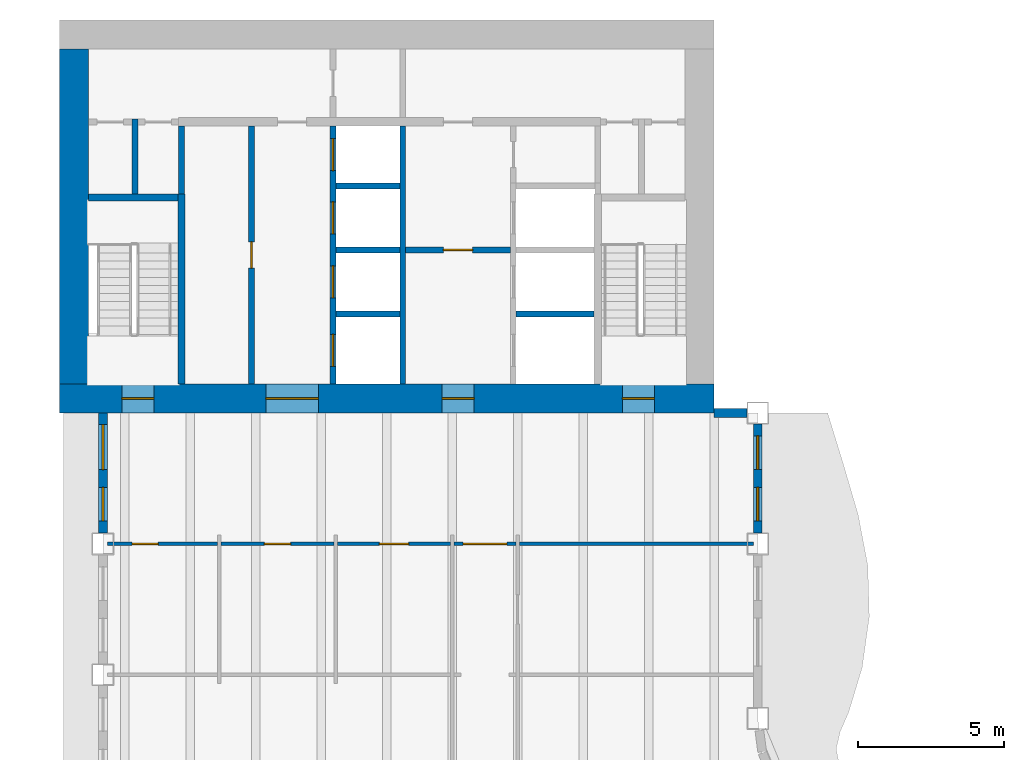
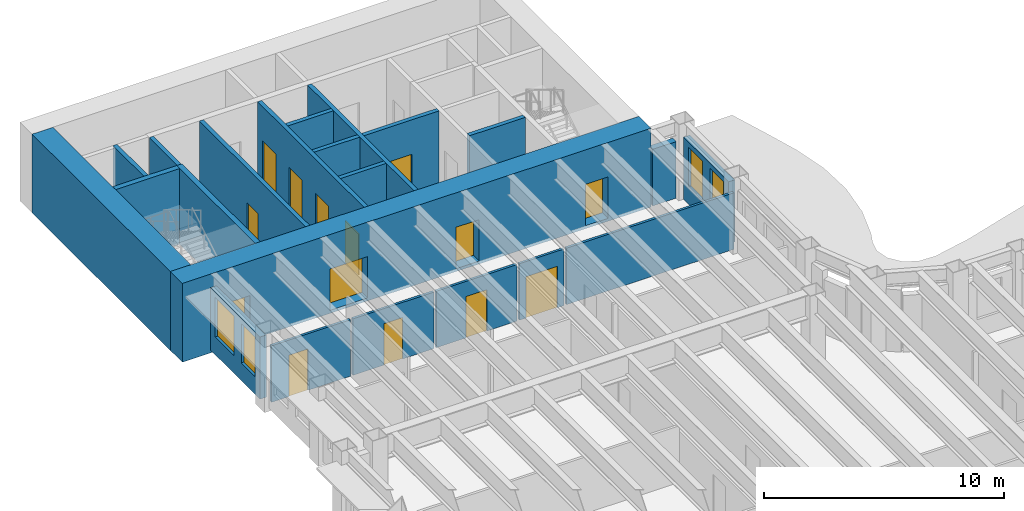
# One storey, part 8 of 16: 22 walls, 14 doors, 4 windows, 18 openings.
"""IFC4 building model written with IfcOpenShell, lengths in metres."""

from ifc_helpers import new_model, si_unit, direction, frame, frame_2d, origin, place, context, subcontext, project, spatial, rectangle, extrude, material, layer, layer_set, type_object, element, fill, save


model = new_model("IFC4")

# Units and contexts
model_context = context("Model", 3, precision=1e-05, world=origin(), true_north=direction((0.0, 1.0)))
body_context = subcontext(model_context, "Body", "Model", "MODEL_VIEW")
ifc_project = project(units=[si_unit("LENGTHUNIT", "METRE"), si_unit("AREAUNIT", "SQUARE_METRE"), si_unit("VOLUMEUNIT", "CUBIC_METRE"), si_unit("PLANEANGLEUNIT", "RADIAN"), si_unit("MASSUNIT", "GRAM", prefix="KILO")], contexts=[model_context])

# Site, building, storey
site_placement = place(None, origin())
site = spatial("IfcSite", under=ifc_project, at=site_placement, CompositionType="ELEMENT")
building_placement = place(site_placement, origin())
building = spatial("IfcBuilding", under=site, at=building_placement, Name="Sennacour Bend Tower", CompositionType="ELEMENT")
storey_placement = place(building_placement, frame((0.0, 0.0, 227.0)))
storey = spatial("IfcBuildingStorey", under=building, at=storey_placement, Name="L52", CompositionType="ELEMENT", Elevation=227.0)

# Wall, openings, doors
ifc_material_1 = material(Name="Concrete C60/75", Category="concrete")
ifc_layer_1 = layer(ifc_material_1, 1.0, Name="Concrete C60/75", Category="concrete")
ifc_layer_set_1 = layer_set([ifc_layer_1], Name="Concrete C60/75")
wall_type_1 = type_object("IfcWallType", Name="Core wall 1000 C60/75", PredefinedType="SHEAR", material=ifc_layer_set_1)
wall_1_placement = place(storey_placement, frame((0.0, 36.5, -0.14990234375), z_axis=(0.0, 0.0, 1.0), x_axis=(1.0, 0.0, 0.0)))
wall_1 = element("IfcWall", 1, at=wall_1_placement, inside=storey, type_object=wall_type_1, Name="Core B wall L52 S", PredefinedType="SHEAR", context=body_context, shape_type="SweptSolid", body=[
    extrude(rectangle(XDim=22.5, YDim=1.0, at=frame_2d((11.25, 0.0))), origin(), (0.0, 0.0, 1.0), 4.0),
])
opening_1_placement = place(wall_1_placement, frame((7.10009765625, 0.0, 0.14990234375)))
opening_1 = element("IfcOpeningElement", 2, at=opening_1_placement, cuts=wall_1, Name="Opening CD", PredefinedType="OPENING", context=body_context, shape_type="SweptSolid", body=[
    extrude(rectangle(XDim=1.800048828125, YDim=2.10009765625, at=frame_2d((0.89990234375, 1.050048828125))), frame((0.0, 0.510009765625, 0.0), z_axis=(0.0, -1.0, 0.0), x_axis=(1.0, 0.0, 0.0)), (0.0, 0.0, 1.0), 1.02001953125),
])
opening_2_placement = place(wall_1_placement, frame((13.14990234375, 0.0, 0.14990234375)))
opening_2 = element("IfcOpeningElement", 3, at=opening_2_placement, cuts=wall_1, Name="Opening FD", PredefinedType="OPENING", context=body_context, shape_type="SweptSolid", body=[
    extrude(rectangle(XDim=1.10009765625, YDim=2.10009765625, at=frame_2d((0.550048828125, 1.050048828125))), frame((0.0, 0.510009765625, 0.0), z_axis=(0.0, -1.0, 0.0), x_axis=(1.0, 0.0, 0.0)), (0.0, 0.0, 1.0), 1.02001953125),
])
opening_3_placement = place(wall_1_placement, frame((2.14990234375, 0.0, 0.14990234375)))
opening_3 = element("IfcOpeningElement", 4, at=opening_3_placement, cuts=wall_1, Name="Opening SD", PredefinedType="OPENING", context=body_context, shape_type="SweptSolid", body=[
    extrude(rectangle(XDim=1.10009765625, YDim=2.10009765625, at=frame_2d((0.550048828125, 1.050048828125))), frame((0.0, 0.510009765625, 0.0), z_axis=(0.0, -1.0, 0.0), x_axis=(1.0, 0.0, 0.0)), (0.0, 0.0, 1.0), 1.02001953125),
])
opening_4_placement = place(wall_1_placement, frame((19.35009765625, 0.0, 0.14990234375)))
opening_4 = element("IfcOpeningElement", 5, at=opening_4_placement, cuts=wall_1, Name="Opening SD", PredefinedType="OPENING", context=body_context, shape_type="SweptSolid", body=[
    extrude(rectangle(XDim=1.10009765625, YDim=2.10009765625, at=frame_2d((0.550048828125, 1.050048828125))), frame((0.0, 0.510009765625, 0.0), z_axis=(0.0, -1.0, 0.0), x_axis=(1.0, 0.0, 0.0)), (0.0, 0.0, 1.0), 1.02001953125),
])
ifc_material_2 = material(Name="Painted steel", Category="steel")
door_type_1 = type_object("IfcDoorType", Name="DR-FFL-1100", OperationType="NOTDEFINED", PredefinedType="DOOR", material=ifc_material_2)
door_1_placement = place(opening_2_placement, origin())
door_1 = element("IfcDoor", 6, at=door_1_placement, inside=storey, type_object=door_type_1, Name="Door", OperationType="SINGLE_SWING_RIGHT", OverallHeight=2.10009765625, OverallWidth=1.10009765625, PredefinedType="DOOR", context=body_context, shape_type="SweptSolid", body=[
    extrude(rectangle(XDim=1.10009765625, YDim=2.10009765625, at=frame_2d((0.550048828125, 1.050048828125))), frame((0.0, 0.02490234375, 0.0), z_axis=(0.0, -1.0, 0.0), x_axis=(1.0, 0.0, 0.0)), (0.0, 0.0, 1.0), 0.050048828125),
])
fill(opening_2, door_1)
door_type_2 = type_object("IfcDoorType", Name="DR-LOBBY-1800", OperationType="NOTDEFINED", PredefinedType="DOOR", material=ifc_material_2)
door_2_placement = place(opening_1_placement, origin())
door_2 = element("IfcDoor", 7, at=door_2_placement, inside=storey, type_object=door_type_2, Name="Door", OperationType="DOUBLE_DOOR_SINGLE_SWING", OverallHeight=2.10009765625, OverallWidth=1.800048828125, PredefinedType="DOOR", context=body_context, shape_type="SweptSolid", body=[
    extrude(rectangle(XDim=1.800048828125, YDim=2.10009765625, at=frame_2d((0.89990234375, 1.050048828125))), frame((0.0, 0.02490234375, 0.0), z_axis=(0.0, -1.0, 0.0), x_axis=(1.0, 0.0, 0.0)), (0.0, 0.0, 1.0), 0.050048828125),
])
fill(opening_1, door_2)
door_type_3 = type_object("IfcDoorType", Name="DR-STAIR-1100", OperationType="NOTDEFINED", PredefinedType="DOOR", material=ifc_material_2)
door_3_placement = place(opening_3_placement, origin())
door_3 = element("IfcDoor", 8, at=door_3_placement, inside=storey, type_object=door_type_3, Name="Door", OperationType="SINGLE_SWING_LEFT", OverallHeight=2.10009765625, OverallWidth=1.10009765625, PredefinedType="DOOR", context=body_context, shape_type="SweptSolid", body=[
    extrude(rectangle(XDim=1.10009765625, YDim=2.10009765625, at=frame_2d((0.550048828125, 1.050048828125))), frame((0.0, 0.02490234375, 0.0), z_axis=(0.0, -1.0, 0.0), x_axis=(1.0, 0.0, 0.0)), (0.0, 0.0, 1.0), 0.050048828125),
])
fill(opening_3, door_3)
door_4_placement = place(opening_4_placement, origin())
door_4 = element("IfcDoor", 9, at=door_4_placement, inside=storey, type_object=door_type_3, Name="Door", OperationType="SINGLE_SWING_RIGHT", OverallHeight=2.10009765625, OverallWidth=1.10009765625, PredefinedType="DOOR", context=body_context, shape_type="SweptSolid", body=[
    extrude(rectangle(XDim=1.10009765625, YDim=2.10009765625, at=frame_2d((0.550048828125, 1.050048828125))), frame((0.0, 0.02490234375, 0.0), z_axis=(0.0, -1.0, 0.0), x_axis=(1.0, 0.0, 0.0)), (0.0, 0.0, 1.0), 0.050048828125),
])
fill(opening_4, door_4)

# Wall
wall_2_placement = place(storey_placement, frame((0.5, 37.0, -0.14990234375), z_axis=(0.0, 0.0, 1.0), x_axis=(0.0, 1.0, 0.0)))
element("IfcWall", 10, at=wall_2_placement, inside=storey, type_object=wall_type_1, Name="Core B wall L52 W", PredefinedType="SHEAR", context=body_context, shape_type="SweptSolid", body=[
    extrude(rectangle(XDim=11.5, YDim=1.0, at=frame_2d((5.75, 0.0))), origin(), (0.0, 0.0, 1.0), 4.0),
])

# Wall, opening, door
ifc_material_3 = material(Name="Plasterboard partition on steel studs", Category="steel")
ifc_layer_2 = layer(ifc_material_3, 0.1201171875, Name="Plasterboard partition on steel studs", Category="steel")
ifc_layer_set_2 = layer_set([ifc_layer_2], Name="Plasterboard partition on steel studs")
wall_type_2 = type_object("IfcWallType", Name="Partition 120", PredefinedType="PARTITIONING", material=ifc_layer_set_2)
wall_3_placement = place(storey_placement, frame((1.64990234375, 31.5, 0.0), z_axis=(0.0, 0.0, 1.0), x_axis=(1.0, 0.0, 0.0)))
wall_3 = element("IfcWall", 11, at=wall_3_placement, inside=storey, type_object=wall_type_2, Name="P-L52-W082aa", PredefinedType="PARTITIONING", context=body_context, shape_type="SweptSolid", body=[
    extrude(rectangle(XDim=3.7900390625, YDim=0.1201171875, at=frame_2d((1.89501953125, 0.0))), origin(), (0.0, 0.0, 1.0), 2.8701171875),
])
opening_5_placement = place(wall_3_placement, frame((0.85009765625, 0.0, 0.0)))
opening_5 = element("IfcOpeningElement", 12, at=opening_5_placement, cuts=wall_3, Name="Opening WD", PredefinedType="OPENING", context=body_context, shape_type="SweptSolid", body=[
    extrude(rectangle(XDim=0.89990234375, YDim=2.10009765625, at=frame_2d((0.449951171875, 1.050048828125))), frame((0.0, 0.070068359375, 0.0), z_axis=(0.0, -1.0, 0.0), x_axis=(1.0, 0.0, 0.0)), (0.0, 0.0, 1.0), 0.14013671875),
])
ifc_material_4 = material(Name="Timber", Category="wood")
door_type_4 = type_object("IfcDoorType", Name="DR-WC-900", OperationType="NOTDEFINED", PredefinedType="DOOR", material=ifc_material_4)
door_5_placement = place(opening_5_placement, origin())
door_5 = element("IfcDoor", 13, at=door_5_placement, inside=storey, type_object=door_type_4, Name="Door", OperationType="SINGLE_SWING_LEFT", OverallHeight=2.10009765625, OverallWidth=0.89990234375, PredefinedType="DOOR", context=body_context, shape_type="SweptSolid", body=[
    extrude(rectangle(XDim=0.89990234375, YDim=2.10009765625, at=frame_2d((0.449951171875, 1.050048828125))), frame((0.0, 0.02490234375, 0.0), z_axis=(0.0, -1.0, 0.0), x_axis=(1.0, 0.0, 0.0)), (0.0, 0.0, 1.0), 0.050048828125),
])
fill(opening_5, door_5)

wall_4_placement = place(storey_placement, frame((5.56005859375, 31.5, 0.0), z_axis=(0.0, 0.0, 1.0), x_axis=(1.0, 0.0, 0.0)))
wall_4 = element("IfcWall", 14, at=wall_4_placement, inside=storey, type_object=wall_type_2, Name="P-L52-W082ab", PredefinedType="PARTITIONING", context=body_context, shape_type="SweptSolid", body=[
    extrude(rectangle(XDim=3.8798828125, YDim=0.1201171875, at=frame_2d((1.93994140625, 0.0))), origin(), (0.0, 0.0, 1.0), 2.8701171875),
])
opening_6_placement = place(wall_4_placement, frame((1.489990234375, 0.0, 0.0)))
opening_6 = element("IfcOpeningElement", 15, at=opening_6_placement, cuts=wall_4, Name="Opening WD", PredefinedType="OPENING", context=body_context, shape_type="SweptSolid", body=[
    extrude(rectangle(XDim=0.89990234375, YDim=2.10009765625, at=frame_2d((0.449951171875, 1.050048828125))), frame((0.0, 0.070068359375, 0.0), z_axis=(0.0, -1.0, 0.0), x_axis=(1.0, 0.0, 0.0)), (0.0, 0.0, 1.0), 0.14013671875),
])
door_6_placement = place(opening_6_placement, origin())
door_6 = element("IfcDoor", 16, at=door_6_placement, inside=storey, type_object=door_type_4, Name="Door", OperationType="SINGLE_SWING_LEFT", OverallHeight=2.10009765625, OverallWidth=0.89990234375, PredefinedType="DOOR", context=body_context, shape_type="SweptSolid", body=[
    extrude(rectangle(XDim=0.89990234375, YDim=2.10009765625, at=frame_2d((0.449951171875, 1.050048828125))), frame((0.0, 0.02490234375, 0.0), z_axis=(0.0, -1.0, 0.0), x_axis=(1.0, 0.0, 0.0)), (0.0, 0.0, 1.0), 0.050048828125),
])
fill(opening_6, door_6)

wall_5_placement = place(storey_placement, frame((9.56005859375, 31.5, 0.0), z_axis=(0.0, 0.0, 1.0), x_axis=(1.0, 0.0, 0.0)))
wall_5 = element("IfcWall", 17, at=wall_5_placement, inside=storey, type_object=wall_type_2, Name="P-L52-W082ac", PredefinedType="PARTITIONING", context=body_context, shape_type="SweptSolid", body=[
    extrude(rectangle(XDim=3.8798828125, YDim=0.1201171875, at=frame_2d((1.93994140625, 0.0))), origin(), (0.0, 0.0, 1.0), 2.8701171875),
])
opening_7_placement = place(wall_5_placement, frame((1.43994140625, 0.0, 0.0)))
opening_7 = element("IfcOpeningElement", 18, at=opening_7_placement, cuts=wall_5, Name="Opening AD", PredefinedType="OPENING", context=body_context, shape_type="SweptSolid", body=[
    extrude(rectangle(XDim=1.0, YDim=2.10009765625, at=frame_2d((0.5, 1.050048828125))), frame((0.0, 0.070068359375, 0.0), z_axis=(0.0, -1.0, 0.0), x_axis=(1.0, 0.0, 0.0)), (0.0, 0.0, 1.0), 0.14013671875),
])
door_type_5 = type_object("IfcDoorType", Name="DR-ACC-WC-1000", OperationType="NOTDEFINED", PredefinedType="DOOR", material=ifc_material_4)
door_7_placement = place(opening_7_placement, origin())
door_7 = element("IfcDoor", 19, at=door_7_placement, inside=storey, type_object=door_type_5, Name="Door", OperationType="SINGLE_SWING_LEFT", OverallHeight=2.10009765625, OverallWidth=1.0, PredefinedType="DOOR", context=body_context, shape_type="SweptSolid", body=[
    extrude(rectangle(XDim=1.0, YDim=2.10009765625, at=frame_2d((0.5, 1.050048828125))), frame((0.0, 0.02490234375, 0.0), z_axis=(0.0, -1.0, 0.0), x_axis=(1.0, 0.0, 0.0)), (0.0, 0.0, 1.0), 0.050048828125),
])
fill(opening_7, door_7)

# Wall
wall_6_placement = place(storey_placement, frame((15.81005859375, 31.5, 0.0), z_axis=(0.0, 0.0, 1.0), x_axis=(1.0, 0.0, 0.0)))
element("IfcWall", 20, at=wall_6_placement, inside=storey, type_object=wall_type_2, Name="P-L52-W082ae", PredefinedType="PARTITIONING", context=body_context, shape_type="SweptSolid", body=[
    extrude(rectangle(XDim=8.0400390625, YDim=0.1201171875, at=frame_2d((4.02001953125, 0.0))), origin(), (0.0, 0.0, 1.0), 2.8701171875),
])

# Wall, opening, door
ifc_layer_3 = layer(ifc_material_3, 0.1201171875, Name="Plasterboard partition on steel studs", Category="steel")
ifc_layer_set_3 = layer_set([ifc_layer_3], Name="Plasterboard partition on steel studs")
wall_type_3 = type_object("IfcWallType", Name="Partition 120 EI 30", PredefinedType="PARTITIONING", material=ifc_layer_set_3)
wall_7_placement = place(storey_placement, frame((13.56005859375, 31.5, 0.0), z_axis=(0.0, 0.0, 1.0), x_axis=(1.0, 0.0, 0.0)))
wall_7 = element("IfcWall", 21, at=wall_7_placement, inside=storey, type_object=wall_type_3, Name="P-L52-W082ad", PredefinedType="PARTITIONING", context=body_context, shape_type="SweptSolid", body=[
    extrude(rectangle(XDim=2.1298828125, YDim=0.1201171875, at=frame_2d((1.06494140625, 0.0))), origin(), (0.0, 0.0, 1.0), 2.8701171875),
])
opening_8_placement = place(wall_7_placement, frame((0.31494140625, 0.0, 0.0)))
opening_8 = element("IfcOpeningElement", 22, at=opening_8_placement, cuts=wall_7, Name="Opening KD", PredefinedType="OPENING", context=body_context, shape_type="SweptSolid", body=[
    extrude(rectangle(XDim=1.5, YDim=2.10009765625, at=frame_2d((0.75, 1.050048828125))), frame((0.0, 0.070068359375, 0.0), z_axis=(0.0, -1.0, 0.0), x_axis=(1.0, 0.0, 0.0)), (0.0, 0.0, 1.0), 0.14013671875),
])
door_type_6 = type_object("IfcDoorType", Name="DR-CORRIDOR-1500", OperationType="NOTDEFINED", PredefinedType="DOOR", material=ifc_material_2)
door_8_placement = place(opening_8_placement, origin())
door_8 = element("IfcDoor", 23, at=door_8_placement, inside=storey, type_object=door_type_6, Name="Door", OperationType="SINGLE_SWING_LEFT", OverallHeight=2.10009765625, OverallWidth=1.5, PredefinedType="DOOR", context=body_context, shape_type="SweptSolid", body=[
    extrude(rectangle(XDim=1.5, YDim=2.10009765625, at=frame_2d((0.75, 1.050048828125))), frame((0.0, 0.02490234375, 0.0), z_axis=(0.0, -1.0, 0.0), x_axis=(1.0, 0.0, 0.0)), (0.0, 0.0, 1.0), 0.050048828125),
])
fill(opening_8, door_8)

# Walls
ifc_material_5 = material(Name="Fire-rated plasterboard partition on steel studs", Category="steel")
ifc_layer_4 = layer(ifc_material_5, 0.199951171875, Name="Fire-rated plasterboard partition on steel studs", Category="steel")
ifc_layer_set_4 = layer_set([ifc_layer_4], Name="Fire-rated plasterboard partition on steel studs")
wall_type_4 = type_object("IfcWallType", Name="Rated partition 200", PredefinedType="PARTITIONING", material=ifc_layer_set_4)
wall_8_placement = place(storey_placement, frame((2.60009765625, 43.52490234375, 0.0), z_axis=(0.0, 0.0, 1.0), x_axis=(0.0, 1.0, 0.0)))
element("IfcWall", 24, at=wall_8_placement, inside=storey, type_object=wall_type_4, Name="P-L52-W004", PredefinedType="PARTITIONING", context=body_context, shape_type="SweptSolid", body=[
    extrude(rectangle(XDim=2.5751953125, YDim=0.199951171875, at=frame_2d((1.28759765625, 0.0))), origin(), (0.0, 0.0, 1.0), 3.85009765625),
])
wall_9_placement = place(storey_placement, frame((4.199951171875, 43.52490234375, 0.0), z_axis=(0.0, 0.0, 1.0), x_axis=(0.0, 1.0, 0.0)))
element("IfcWall", 25, at=wall_9_placement, inside=storey, type_object=wall_type_4, Name="P-L52-W006", PredefinedType="PARTITIONING", context=body_context, shape_type="SweptSolid", body=[
    extrude(rectangle(XDim=2.3251953125, YDim=0.199951171875, at=frame_2d((1.16259765625, 0.0))), origin(), (0.0, 0.0, 1.0), 3.85009765625),
])

# Wall, opening, door
wall_10_placement = place(storey_placement, frame((6.60009765625, 37.0, 0.0), z_axis=(0.0, 0.0, 1.0), x_axis=(0.0, 1.0, 0.0)))
wall_10 = element("IfcWall", 26, at=wall_10_placement, inside=storey, type_object=wall_type_4, Name="P-L52-W008", PredefinedType="PARTITIONING", context=body_context, shape_type="SweptSolid", body=[
    extrude(rectangle(XDim=8.85009765625, YDim=0.199951171875, at=frame_2d((4.425048828125, 0.0))), origin(), (0.0, 0.0, 1.0), 3.85009765625),
])
opening_9_placement = place(wall_10_placement, frame((3.97509765625, 0.0, 0.0)))
opening_9 = element("IfcOpeningElement", 27, at=opening_9_placement, cuts=wall_10, Name="Opening SV", PredefinedType="OPENING", context=body_context, shape_type="SweptSolid", body=[
    extrude(rectangle(XDim=0.89990234375, YDim=2.10009765625, at=frame_2d((0.449951171875, 1.050048828125))), frame((0.0, 0.10986328125, 0.0), z_axis=(0.0, -1.0, 0.0), x_axis=(1.0, 0.0, 0.0)), (0.0, 0.0, 1.0), 0.219970703125),
])
door_type_7 = type_object("IfcDoorType", Name="DR-SERVICE-900", OperationType="NOTDEFINED", PredefinedType="DOOR", material=ifc_material_2)
door_9_placement = place(opening_9_placement, origin())
door_9 = element("IfcDoor", 28, at=door_9_placement, inside=storey, type_object=door_type_7, Name="Door", OperationType="SINGLE_SWING_LEFT", OverallHeight=2.10009765625, OverallWidth=0.89990234375, PredefinedType="DOOR", context=body_context, shape_type="SweptSolid", body=[
    extrude(rectangle(XDim=0.89990234375, YDim=2.10009765625, at=frame_2d((0.449951171875, 1.050048828125))), frame((0.0, 0.02490234375, 0.0), z_axis=(0.0, -1.0, 0.0), x_axis=(1.0, 0.0, 0.0)), (0.0, 0.0, 1.0), 0.050048828125),
])
fill(opening_9, door_9)

ifc_layer_5 = layer(ifc_material_5, 0.199951171875, Name="Fire-rated plasterboard partition on steel studs", Category="steel")
ifc_layer_set_5 = layer_set([ifc_layer_5], Name="Fire-rated plasterboard partition on steel studs")
wall_type_5 = type_object("IfcWallType", Name="Rated partition 200 EI 90", PredefinedType="PARTITIONING", material=ifc_layer_set_5)
wall_11_placement = place(storey_placement, frame((11.89990234375, 41.60009765625, 0.0), z_axis=(0.0, 0.0, 1.0), x_axis=(1.0, 0.0, 0.0)))
wall_11 = element("IfcWall", 29, at=wall_11_placement, inside=storey, type_object=wall_type_5, Name="P-L52-W087", PredefinedType="PARTITIONING", context=body_context, shape_type="SweptSolid", body=[
    extrude(rectangle(XDim=3.60009765625, YDim=0.199951171875, at=frame_2d((1.800048828125, 0.0))), origin(), (0.0, 0.0, 1.0), 3.85009765625),
])
opening_10_placement = place(wall_11_placement, frame((1.300048828125, 0.0, 0.0)))
opening_10 = element("IfcOpeningElement", 30, at=opening_10_placement, cuts=wall_11, Name="Opening FD2", PredefinedType="OPENING", context=body_context, shape_type="SweptSolid", body=[
    extrude(rectangle(XDim=1.0, YDim=2.10009765625, at=frame_2d((0.5, 1.050048828125))), frame((0.0, 0.10986328125, 0.0), z_axis=(0.0, -1.0, 0.0), x_axis=(1.0, 0.0, 0.0)), (0.0, 0.0, 1.0), 0.219970703125),
])
door_type_8 = type_object("IfcDoorType", Name="DR-FFL-1000", OperationType="NOTDEFINED", PredefinedType="DOOR", material=ifc_material_2)
door_10_placement = place(opening_10_placement, origin())
door_10 = element("IfcDoor", 31, at=door_10_placement, inside=storey, type_object=door_type_8, Name="Door", OperationType="SINGLE_SWING_RIGHT", OverallHeight=2.10009765625, OverallWidth=1.0, PredefinedType="DOOR", context=body_context, shape_type="SweptSolid", body=[
    extrude(rectangle(XDim=1.0, YDim=2.10009765625, at=frame_2d((0.5, 1.050048828125))), frame((0.0, 0.02490234375, 0.0), z_axis=(0.0, -1.0, 0.0), x_axis=(1.0, 0.0, 0.0)), (0.0, 0.0, 1.0), 0.050048828125),
])
fill(opening_10, door_10)

# Wall, openings, windows
ifc_material_6 = material(Name="Warm limestone cladding", Category="masonry")
ifc_layer_6 = layer(ifc_material_6, 0.050048828125, Name="Warm limestone cladding", Category="masonry")
ifc_material_7 = material(Name="Precast concrete C40/50", Category="concrete")
ifc_layer_7 = layer(ifc_material_7, 0.25, Name="Precast concrete C40/50", Category="concrete")
ifc_layer_set_6 = layer_set([ifc_layer_6, ifc_layer_7], Name="Precast concrete C40/50 with limestone cladding")
wall_type_6 = type_object("IfcWallType", Name="STONE-CLAD PRECAST SPANDREL 300", PredefinedType="STANDARD", material=ifc_layer_set_6)
wall_12_placement = place(storey_placement, frame((24.0, 31.875, 0.0), z_axis=(0.0, 0.0, 1.0), x_axis=(0.0, 1.0, 0.0)))
wall_12 = element("IfcWall", 32, at=wall_12_placement, inside=storey, type_object=wall_type_6, Name="Stone spandrel and pier wall L52 13.01", PredefinedType="STANDARD", context=body_context, shape_type="SweptSolid", body=[
    extrude(rectangle(XDim=3.75, YDim=0.300048828125, at=frame_2d((1.875, 0.0))), origin(), (0.0, 0.0, 1.0), 3.156982421875),
])
opening_11_placement = place(wall_12_placement, frame((0.41259765625, 0.0, 0.89990234375)))
opening_11 = element("IfcOpeningElement", 33, at=opening_11_placement, cuts=wall_12, Name="Opening W24", PredefinedType="OPENING", context=body_context, shape_type="SweptSolid", body=[
    extrude(rectangle(XDim=1.14990234375, YDim=2.0, at=frame_2d((0.574951171875, 1.0))), frame((0.0, 0.16015625, 0.0), z_axis=(0.0, -1.0, 0.0), x_axis=(1.0, 0.0, 0.0)), (0.0, 0.0, 1.0), 0.320068359375),
])
opening_12_placement = place(wall_12_placement, frame((2.1875, 0.0, 0.89990234375)))
opening_12 = element("IfcOpeningElement", 34, at=opening_12_placement, cuts=wall_12, Name="Opening W24", PredefinedType="OPENING", context=body_context, shape_type="SweptSolid", body=[
    extrude(rectangle(XDim=1.14990234375, YDim=2.0, at=frame_2d((0.574951171875, 1.0))), frame((0.0, 0.16015625, 0.0), z_axis=(0.0, -1.0, 0.0), x_axis=(1.0, 0.0, 0.0)), (0.0, 0.0, 1.0), 0.320068359375),
])
ifc_material_8 = material(Name="Clear low-emissivity glass", Category="glass")
window_type_1 = type_object("IfcWindowType", Name="WIN-RIBBON-1150x2000", PartitioningType="SINGLE_PANEL", PredefinedType="WINDOW", material=ifc_material_8)
window_1_placement = place(opening_11_placement, origin())
window_1 = element("IfcWindow", 35, at=window_1_placement, inside=storey, type_object=window_type_1, Name="Ribbon window L52 13.01.0", OverallHeight=2.0, OverallWidth=1.14990234375, PartitioningType="SINGLE_PANEL", PredefinedType="WINDOW", context=body_context, shape_type="SweptSolid", body=[
    extrude(rectangle(XDim=1.14990234375, YDim=2.0, at=frame_2d((0.574951171875, 1.0))), frame((0.0, 0.030029296875, 0.0), z_axis=(0.0, -1.0, 0.0), x_axis=(1.0, 0.0, 0.0)), (0.0, 0.0, 1.0), 0.06005859375),
])
fill(opening_11, window_1)
window_2_placement = place(opening_12_placement, origin())
window_2 = element("IfcWindow", 36, at=window_2_placement, inside=storey, type_object=window_type_1, Name="Ribbon window L52 13.01.1", OverallHeight=2.0, OverallWidth=1.14990234375, PartitioningType="SINGLE_PANEL", PredefinedType="WINDOW", context=body_context, shape_type="SweptSolid", body=[
    extrude(rectangle(XDim=1.14990234375, YDim=2.0, at=frame_2d((0.574951171875, 1.0))), frame((0.0, 0.030029296875, 0.0), z_axis=(0.0, -1.0, 0.0), x_axis=(1.0, 0.0, 0.0)), (0.0, 0.0, 1.0), 0.06005859375),
])
fill(opening_12, window_2)

# Wall
wall_13_placement = place(storey_placement, frame((23.625, 36.0, 0.0), z_axis=(0.0, 0.0, 1.0), x_axis=(-1.0, 0.0, 0.0)))
element("IfcWall", 37, at=wall_13_placement, inside=storey, type_object=wall_type_6, Name="Stone spandrel and pier wall L52 14.00", PredefinedType="STANDARD", context=body_context, shape_type="SweptSolid", body=[
    extrude(rectangle(XDim=1.125, YDim=0.300048828125, at=frame_2d((0.5625, 0.0))), origin(), (0.0, 0.0, 1.0), 2.8701171875),
])

# Wall, openings, windows
wall_14_placement = place(storey_placement, frame((1.5, 36.0, 0.0), z_axis=(0.0, 0.0, 1.0), x_axis=(0.0, -1.0, 0.0)))
wall_14 = element("IfcWall", 38, at=wall_14_placement, inside=storey, type_object=wall_type_6, Name="Stone spandrel and pier wall L52 19.00", PredefinedType="STANDARD", context=body_context, shape_type="SweptSolid", body=[
    extrude(rectangle(XDim=4.125, YDim=0.300048828125, at=frame_2d((2.0625, 0.0))), origin(), (0.0, 0.0, 1.0), 3.156982421875),
])
opening_13_placement = place(wall_14_placement, frame((0.39990234375, 0.0, 0.89990234375)))
opening_13 = element("IfcOpeningElement", 39, at=opening_13_placement, cuts=wall_14, Name="Opening W9", PredefinedType="OPENING", context=body_context, shape_type="SweptSolid", body=[
    extrude(rectangle(XDim=1.550048828125, YDim=2.0, at=frame_2d((0.77490234375, 1.0))), frame((0.0, 0.16015625, 0.0), z_axis=(0.0, -1.0, 0.0), x_axis=(1.0, 0.0, 0.0)), (0.0, 0.0, 1.0), 0.320068359375),
])
opening_14_placement = place(wall_14_placement, frame((2.5625, 0.0, 0.89990234375)))
opening_14 = element("IfcOpeningElement", 40, at=opening_14_placement, cuts=wall_14, Name="Opening W24", PredefinedType="OPENING", context=body_context, shape_type="SweptSolid", body=[
    extrude(rectangle(XDim=1.14990234375, YDim=2.0, at=frame_2d((0.574951171875, 1.0))), frame((0.0, 0.16015625, 0.0), z_axis=(0.0, -1.0, 0.0), x_axis=(1.0, 0.0, 0.0)), (0.0, 0.0, 1.0), 0.320068359375),
])
window_3_placement = place(opening_14_placement, origin())
window_3 = element("IfcWindow", 41, at=window_3_placement, inside=storey, type_object=window_type_1, Name="Ribbon window L52 19.00.1", OverallHeight=2.0, OverallWidth=1.14990234375, PartitioningType="SINGLE_PANEL", PredefinedType="WINDOW", context=body_context, shape_type="SweptSolid", body=[
    extrude(rectangle(XDim=1.14990234375, YDim=2.0, at=frame_2d((0.574951171875, 1.0))), frame((0.0, 0.030029296875, 0.0), z_axis=(0.0, -1.0, 0.0), x_axis=(1.0, 0.0, 0.0)), (0.0, 0.0, 1.0), 0.06005859375),
])
fill(opening_14, window_3)
window_type_2 = type_object("IfcWindowType", Name="WIN-RIBBON-1550x2000", PartitioningType="SINGLE_PANEL", PredefinedType="WINDOW", material=ifc_material_8)
window_4_placement = place(opening_13_placement, origin())
window_4 = element("IfcWindow", 42, at=window_4_placement, inside=storey, type_object=window_type_2, Name="Ribbon window L52 19.00.0", OverallHeight=2.0, OverallWidth=1.550048828125, PartitioningType="SINGLE_PANEL", PredefinedType="WINDOW", context=body_context, shape_type="SweptSolid", body=[
    extrude(rectangle(XDim=1.550048828125, YDim=2.0, at=frame_2d((0.77490234375, 1.0))), frame((0.0, 0.030029296875, 0.0), z_axis=(0.0, -1.0, 0.0), x_axis=(1.0, 0.0, 0.0)), (0.0, 0.0, 1.0), 0.06005859375),
])
fill(opening_13, window_4)

# Wall, openings, doors
ifc_material_9 = material(Name="Concrete C50/60", Category="concrete")
ifc_layer_8 = layer(ifc_material_9, 0.199951171875, Name="Concrete C50/60", Category="concrete")
ifc_layer_set_7 = layer_set([ifc_layer_8], Name="Concrete C50/60")
wall_type_7 = type_object("IfcWallType", Name="Shaft wall 200", PredefinedType="SOLIDWALL", material=ifc_layer_set_7)
wall_15_placement = place(storey_placement, frame((9.39990234375, 37.0, 0.0), z_axis=(0.0, 0.0, 1.0), x_axis=(0.0, 1.0, 0.0)))
wall_15 = element("IfcWall", 43, at=wall_15_placement, inside=storey, type_object=wall_type_7, Name="P-L52-W010", PredefinedType="SOLIDWALL", context=body_context, shape_type="SweptSolid", body=[
    extrude(rectangle(XDim=8.85009765625, YDim=0.199951171875, at=frame_2d((4.425048828125, 0.0))), origin(), (0.0, 0.0, 1.0), 3.85009765625),
])
opening_15_placement = place(wall_15_placement, frame((0.60009765625, 0.0, 0.011962890625)))
opening_15 = element("IfcOpeningElement", 44, at=opening_15_placement, cuts=wall_15, Name="Opening LD", PredefinedType="OPENING", context=body_context, shape_type="SweptSolid", body=[
    extrude(rectangle(XDim=1.10009765625, YDim=2.10009765625, at=frame_2d((0.550048828125, 1.050048828125))), frame((0.0, 0.10986328125, 0.0), z_axis=(0.0, -1.0, 0.0), x_axis=(1.0, 0.0, 0.0)), (0.0, 0.0, 1.0), 0.219970703125),
])
opening_16_placement = place(wall_15_placement, frame((2.949951171875, 0.0, 0.011962890625)))
opening_16 = element("IfcOpeningElement", 45, at=opening_16_placement, cuts=wall_15, Name="Opening LD", PredefinedType="OPENING", context=body_context, shape_type="SweptSolid", body=[
    extrude(rectangle(XDim=1.10009765625, YDim=2.10009765625, at=frame_2d((0.550048828125, 1.050048828125))), frame((0.0, 0.10986328125, 0.0), z_axis=(0.0, -1.0, 0.0), x_axis=(1.0, 0.0, 0.0)), (0.0, 0.0, 1.0), 0.219970703125),
])
opening_17_placement = place(wall_15_placement, frame((5.14990234375, 0.0, 0.011962890625)))
opening_17 = element("IfcOpeningElement", 46, at=opening_17_placement, cuts=wall_15, Name="Opening LD", PredefinedType="OPENING", context=body_context, shape_type="SweptSolid", body=[
    extrude(rectangle(XDim=1.10009765625, YDim=2.10009765625, at=frame_2d((0.550048828125, 1.050048828125))), frame((0.0, 0.10986328125, 0.0), z_axis=(0.0, -1.0, 0.0), x_axis=(1.0, 0.0, 0.0)), (0.0, 0.0, 1.0), 0.219970703125),
])
opening_18_placement = place(wall_15_placement, frame((7.324951171875, 0.0, 0.011962890625)))
opening_18 = element("IfcOpeningElement", 47, at=opening_18_placement, cuts=wall_15, Name="Opening LD", PredefinedType="OPENING", context=body_context, shape_type="SweptSolid", body=[
    extrude(rectangle(XDim=1.10009765625, YDim=2.10009765625, at=frame_2d((0.550048828125, 1.050048828125))), frame((0.0, 0.10986328125, 0.0), z_axis=(0.0, -1.0, 0.0), x_axis=(1.0, 0.0, 0.0)), (0.0, 0.0, 1.0), 0.219970703125),
])
ifc_material_10 = material(Name="Stainless steel", Category="steel")
door_type_9 = type_object("IfcDoorType", Name="DR-LANDING-1100", OperationType="NOTDEFINED", PredefinedType="DOOR", material=ifc_material_10)
door_11_placement = place(opening_15_placement, origin())
door_11 = element("IfcDoor", 48, at=door_11_placement, inside=storey, type_object=door_type_9, Name="Lift landing door MB1", OperationType="SLIDING_TO_RIGHT", OverallHeight=2.10009765625, OverallWidth=1.10009765625, PredefinedType="DOOR", context=body_context, shape_type="SweptSolid", body=[
    extrude(rectangle(XDim=1.10009765625, YDim=2.10009765625, at=frame_2d((0.550048828125, 1.050048828125))), frame((0.0, 0.02490234375, 0.0), z_axis=(0.0, -1.0, 0.0), x_axis=(1.0, 0.0, 0.0)), (0.0, 0.0, 1.0), 0.050048828125),
])
fill(opening_15, door_11)
door_12_placement = place(opening_16_placement, origin())
door_12 = element("IfcDoor", 49, at=door_12_placement, inside=storey, type_object=door_type_9, Name="Lift landing door MB2", OperationType="SLIDING_TO_LEFT", OverallHeight=2.10009765625, OverallWidth=1.10009765625, PredefinedType="DOOR", context=body_context, shape_type="SweptSolid", body=[
    extrude(rectangle(XDim=1.10009765625, YDim=2.10009765625, at=frame_2d((0.550048828125, 1.050048828125))), frame((0.0, 0.02490234375, 0.0), z_axis=(0.0, -1.0, 0.0), x_axis=(1.0, 0.0, 0.0)), (0.0, 0.0, 1.0), 0.050048828125),
])
fill(opening_16, door_12)
door_13_placement = place(opening_17_placement, origin())
door_13 = element("IfcDoor", 50, at=door_13_placement, inside=storey, type_object=door_type_9, Name="Lift landing door MB3", OperationType="SLIDING_TO_RIGHT", OverallHeight=2.10009765625, OverallWidth=1.10009765625, PredefinedType="DOOR", context=body_context, shape_type="SweptSolid", body=[
    extrude(rectangle(XDim=1.10009765625, YDim=2.10009765625, at=frame_2d((0.550048828125, 1.050048828125))), frame((0.0, 0.02490234375, 0.0), z_axis=(0.0, -1.0, 0.0), x_axis=(1.0, 0.0, 0.0)), (0.0, 0.0, 1.0), 0.050048828125),
])
fill(opening_17, door_13)
door_14_placement = place(opening_18_placement, origin())
door_14 = element("IfcDoor", 51, at=door_14_placement, inside=storey, type_object=door_type_9, Name="Lift landing door MB4", OperationType="SLIDING_TO_LEFT", OverallHeight=2.10009765625, OverallWidth=1.10009765625, PredefinedType="DOOR", context=body_context, shape_type="SweptSolid", body=[
    extrude(rectangle(XDim=1.10009765625, YDim=2.10009765625, at=frame_2d((0.550048828125, 1.050048828125))), frame((0.0, 0.02490234375, 0.0), z_axis=(0.0, -1.0, 0.0), x_axis=(1.0, 0.0, 0.0)), (0.0, 0.0, 1.0), 0.050048828125),
])
fill(opening_18, door_14)

# Walls
wall_16_placement = place(storey_placement, frame((11.800048828125, 37.0, 0.0), z_axis=(0.0, 0.0, 1.0), x_axis=(0.0, 1.0, 0.0)))
element("IfcWall", 52, at=wall_16_placement, inside=storey, type_object=wall_type_7, Name="P-L52-W013", PredefinedType="SOLIDWALL", context=body_context, shape_type="SweptSolid", body=[
    extrude(rectangle(XDim=8.85009765625, YDim=0.199951171875, at=frame_2d((4.425048828125, 0.0))), origin(), (0.0, 0.0, 1.0), 3.85009765625),
])
wall_17_placement = place(storey_placement, frame((9.5, 39.39990234375, 0.0), z_axis=(0.0, 0.0, 1.0), x_axis=(1.0, 0.0, 0.0)))
element("IfcWall", 53, at=wall_17_placement, inside=storey, type_object=wall_type_7, Name="P-L52-W084", PredefinedType="SOLIDWALL", context=body_context, shape_type="SweptSolid", body=[
    extrude(rectangle(XDim=2.199951171875, YDim=0.199951171875, at=frame_2d((1.10009765625, 0.0))), origin(), (0.0, 0.0, 1.0), 3.85009765625),
])
wall_18_placement = place(storey_placement, frame((15.699951171875, 39.39990234375, 0.0), z_axis=(0.0, 0.0, 1.0), x_axis=(1.0, 0.0, 0.0)))
element("IfcWall", 54, at=wall_18_placement, inside=storey, type_object=wall_type_7, Name="P-L52-W085", PredefinedType="SOLIDWALL", context=body_context, shape_type="SweptSolid", body=[
    extrude(rectangle(XDim=2.675048828125, YDim=0.199951171875, at=frame_2d((1.33740234375, 0.0))), origin(), (0.0, 0.0, 1.0), 3.85009765625),
])
for number, where, z_axis, x_axis, name in (
    (55, (9.5, 41.60009765625, 0.0), (0.0, 0.0, 1.0), (1.0, 0.0, 0.0), "P-L52-W086"),
    (56, (9.5, 43.800048828125, 0.0), (0.0, 0.0, 1.0), (1.0, 0.0, 0.0), "P-L52-W091"),
):
    element("IfcWall", number, at=place(storey_placement, frame(where, z_axis=z_axis, x_axis=x_axis)), inside=storey, type_object=wall_type_7, Name=name, PredefinedType="SOLIDWALL", context=body_context, shape_type="SweptSolid", body=[
        extrude(rectangle(XDim=2.199951171875, YDim=0.199951171875, at=frame_2d((1.10009765625, 0.0))), origin(), (0.0, 0.0, 1.0), 3.85009765625),
    ])
ifc_layer_9 = layer(ifc_material_1, 0.25, Name="Concrete C60/75", Category="concrete")
ifc_layer_set_8 = layer_set([ifc_layer_9], Name="Concrete C60/75")
wall_type_8 = type_object("IfcWallType", Name="Stair wall 250", PredefinedType="SHEAR", material=ifc_layer_set_8)
wall_19_placement = place(storey_placement, frame((4.199951171875, 37.0, 0.0), z_axis=(0.0, 0.0, 1.0), x_axis=(0.0, 1.0, 0.0)))
element("IfcWall", 57, at=wall_19_placement, inside=storey, type_object=wall_type_8, Name="P-L52-W005", PredefinedType="SHEAR", context=body_context, shape_type="SweptSolid", body=[
    extrude(rectangle(XDim=6.52490234375, YDim=0.25, at=frame_2d((3.262451171875, 0.0))), origin(), (0.0, 0.0, 1.0), 3.85009765625),
])
wall_20_placement = place(storey_placement, frame((1.0, 43.39990234375, 0.0), z_axis=(0.0, 0.0, 1.0), x_axis=(1.0, 0.0, 0.0)))
element("IfcWall", 58, at=wall_20_placement, inside=storey, type_object=wall_type_8, Name="P-L52-W089", PredefinedType="SHEAR", context=body_context, shape_type="SweptSolid", body=[
    extrude(rectangle(XDim=3.074951171875, YDim=0.25, at=frame_2d((1.53759765625, 0.0))), origin(), (0.0, 0.0, 1.0), 3.85009765625),
])

save(model, "model.ifc")
